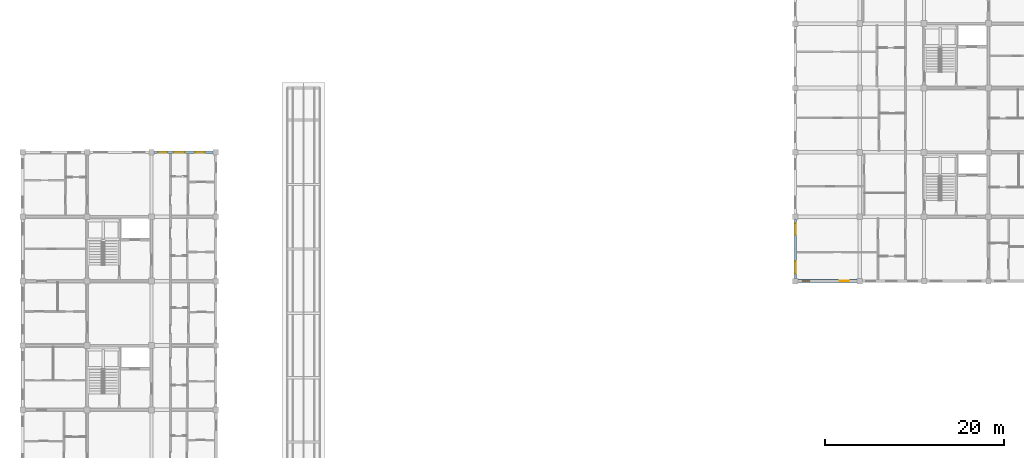
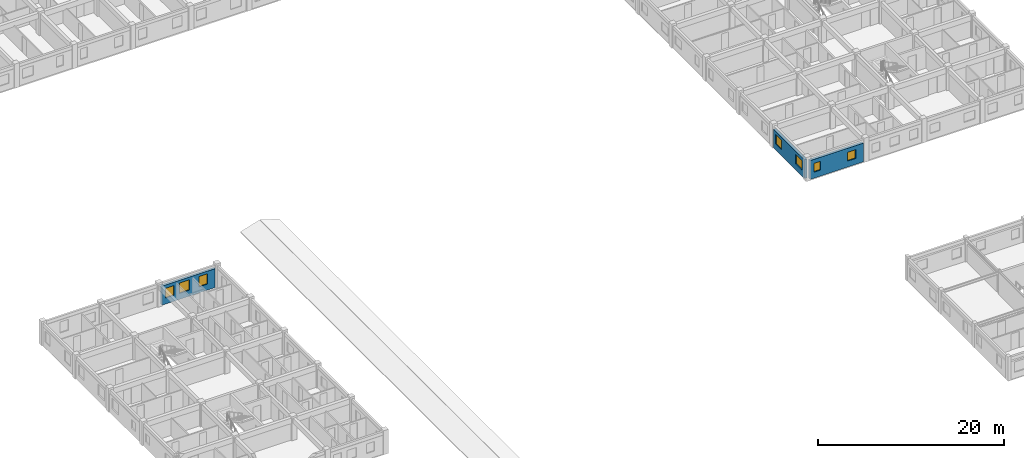
# One storey, part 28 of 50: 7 windows, 3 walls, 7 openings.
"""IFC4 building model written with IfcOpenShell, lengths in metres."""

from ifc_helpers import new_model, si_unit, direction, frame, frame_2d, origin, place, context, subcontext, project, spatial, rectangle, extrude, material, layer, layer_set, type_object, element, fill, save


model = new_model("IFC4")

# Units and contexts
model_context = context("Model", 3, precision=1e-05, world=origin(), true_north=direction((0.0, 1.0)))
body_context = subcontext(model_context, "Body", "Model", "MODEL_VIEW")
ifc_project = project(units=[si_unit("LENGTHUNIT", "METRE"), si_unit("AREAUNIT", "SQUARE_METRE"), si_unit("VOLUMEUNIT", "CUBIC_METRE"), si_unit("PLANEANGLEUNIT", "RADIAN"), si_unit("MASSUNIT", "GRAM", prefix="KILO"), si_unit("THERMODYNAMICTEMPERATUREUNIT", "KELVIN"), si_unit("POWERUNIT", "WATT")], contexts=[model_context])

# Site, building, storey
site_placement = place(None, origin())
site = spatial("IfcSite", under=ifc_project, at=site_placement, CompositionType="ELEMENT")
building_placement = place(site_placement, origin())
building = spatial("IfcBuilding", under=site, at=building_placement, Name="Tavuni Mirador Residences", CompositionType="ELEMENT")
storey_placement = place(building_placement, frame((0.0, 0.0, 4.5)))
storey = spatial("IfcBuildingStorey", under=building, at=storey_placement, Name="L01", CompositionType="ELEMENT", Elevation=4.5)

# Wall, openings, windows
ifc_material_1 = material(Name="Sgraffito lime-rendered precast concrete C40/50", Category="concrete")
ifc_layer_1 = layer(ifc_material_1, 0.2900390625, Name="Sgraffito lime-rendered precast concrete C40/50", Category="concrete")
ifc_layer_set_1 = layer_set([ifc_layer_1], Name="Sgraffito lime-rendered precast concrete C40/50")
wall_type_1 = type_object("IfcWallType", Name="WT-EXT-PC290", PredefinedType="SOLIDWALL", material=ifc_layer_set_1)
wall_1_placement = place(storey_placement, frame((24.89990234375, 100.800048828125, 0.0), z_axis=(0.0, 0.0, 1.0), x_axis=(-1.0, 0.0, 0.0)))
wall_1 = element("IfcWall", 1, at=wall_1_placement, inside=storey, type_object=wall_type_1, Name="EW-BLK-B-L01-N02", PredefinedType="SOLIDWALL", context=body_context, shape_type="SweptSolid", body=[
    extrude(rectangle(XDim=6.599853515625, YDim=0.2900390625, at=frame_2d((3.2998046875, 0.0))), origin(), (0.0, 0.0, 1.0), 2.47998046875),
])
opening_1_placement = place(wall_1_placement, frame((0.949951171875, 0.0, 0.780029296875)))
opening_1 = element("IfcOpeningElement", 2, at=opening_1_placement, cuts=wall_1, Name="Opening WN-19", PredefinedType="OPENING", context=body_context, shape_type="SweptSolid", body=[
    extrude(rectangle(XDim=1.06005859375, YDim=1.360107421875, at=frame_2d((0.530029296875, 0.68017578125))), frame((0.0, 0.155029296875, 0.0), z_axis=(0.0, -1.0, 0.0), x_axis=(1.0, 0.0, 0.0)), (0.0, 0.0, 1.0), 0.31005859375),
])
opening_2_placement = place(wall_1_placement, frame((3.199951171875, 0.0, 0.780029296875)))
opening_2 = element("IfcOpeningElement", 3, at=opening_2_placement, cuts=wall_1, Name="Opening WN-21", PredefinedType="OPENING", context=body_context, shape_type="SweptSolid", body=[
    extrude(rectangle(XDim=1.219970703125, YDim=1.360107421875, at=frame_2d((0.60986328125, 0.68017578125))), frame((0.0, 0.155029296875, 0.0), z_axis=(0.0, -1.0, 0.0), x_axis=(1.0, 0.0, 0.0)), (0.0, 0.0, 1.0), 0.31005859375),
])
opening_3_placement = place(wall_1_placement, frame((5.110107421875, 0.0, 0.780029296875)))
opening_3 = element("IfcOpeningElement", 4, at=opening_3_placement, cuts=wall_1, Name="Opening WN-11", PredefinedType="OPENING", context=body_context, shape_type="SweptSolid", body=[
    extrude(rectangle(XDim=1.0400390625, YDim=1.260009765625, at=frame_2d((0.52001953125, 0.6298828125))), frame((0.0, 0.155029296875, 0.0), z_axis=(0.0, -1.0, 0.0), x_axis=(1.0, 0.0, 0.0)), (0.0, 0.0, 1.0), 0.31005859375),
])
ifc_material_2 = material(Name="Laminated solar-control glass", Category="glass")
window_type_1 = type_object("IfcWindowType", Name="WNT-11", PartitioningType="SINGLE_PANEL", PredefinedType="WINDOW", material=ifc_material_2)
window_1_placement = place(opening_3_placement, origin())
window_1 = element("IfcWindow", 5, at=window_1_placement, inside=storey, type_object=window_type_1, Name="WIN-0589", OverallHeight=1.260009765625, OverallWidth=1.0400390625, PartitioningType="SINGLE_PANEL", PredefinedType="WINDOW", context=body_context, shape_type="SweptSolid", body=[
    extrude(rectangle(XDim=1.0400390625, YDim=1.260009765625, at=frame_2d((0.52001953125, 0.6298828125))), frame((0.0, 0.030029296875, 0.0), z_axis=(0.0, -1.0, 0.0), x_axis=(1.0, 0.0, 0.0)), (0.0, 0.0, 1.0), 0.06005859375),
])
fill(opening_3, window_1)
window_type_2 = type_object("IfcWindowType", Name="WNT-19", PartitioningType="SINGLE_PANEL", PredefinedType="WINDOW", material=ifc_material_2)
window_2_placement = place(opening_1_placement, origin())
window_2 = element("IfcWindow", 6, at=window_2_placement, inside=storey, type_object=window_type_2, Name="WIN-0587", OverallHeight=1.360107421875, OverallWidth=1.06005859375, PartitioningType="SINGLE_PANEL", PredefinedType="WINDOW", context=body_context, shape_type="SweptSolid", body=[
    extrude(rectangle(XDim=1.06005859375, YDim=1.360107421875, at=frame_2d((0.530029296875, 0.68017578125))), frame((0.0, 0.030029296875, 0.0), z_axis=(0.0, -1.0, 0.0), x_axis=(1.0, 0.0, 0.0)), (0.0, 0.0, 1.0), 0.06005859375),
])
fill(opening_1, window_2)
window_type_3 = type_object("IfcWindowType", Name="WNT-21", PartitioningType="SINGLE_PANEL", PredefinedType="WINDOW", material=ifc_material_2)
window_3_placement = place(opening_2_placement, origin())
window_3 = element("IfcWindow", 7, at=window_3_placement, inside=storey, type_object=window_type_3, Name="WIN-0588", OverallHeight=1.360107421875, OverallWidth=1.219970703125, PartitioningType="SINGLE_PANEL", PredefinedType="WINDOW", context=body_context, shape_type="SweptSolid", body=[
    extrude(rectangle(XDim=1.219970703125, YDim=1.360107421875, at=frame_2d((0.60986328125, 0.68017578125))), frame((0.0, 0.030029296875, 0.0), z_axis=(0.0, -1.0, 0.0), x_axis=(1.0, 0.0, 0.0)), (0.0, 0.0, 1.0), 0.06005859375),
])
fill(opening_2, window_3)

ifc_layer_2 = layer(ifc_material_1, 0.31494140625, Name="Sgraffito lime-rendered precast concrete C40/50", Category="concrete")
ifc_layer_set_2 = layer_set([ifc_layer_2], Name="Sgraffito lime-rendered precast concrete C40/50")
wall_type_2 = type_object("IfcWallType", Name="WT-EXT-PC315", PredefinedType="SOLIDWALL", material=ifc_layer_set_2)
wall_2_placement = place(storey_placement, frame((90.300048828125, 86.39990234375, 0.0), z_axis=(0.0, 0.0, 1.0), x_axis=(1.0, 0.0, 0.0)))
wall_2 = element("IfcWall", 8, at=wall_2_placement, inside=storey, type_object=wall_type_2, Name="EW-BLK-D-L01-S00", PredefinedType="SOLIDWALL", context=body_context, shape_type="SweptSolid", body=[
    extrude(rectangle(XDim=6.599853515625, YDim=0.31494140625, at=frame_2d((3.2998046875, 0.0))), origin(), (0.0, 0.0, 1.0), 2.4599609375),
])
opening_4_placement = place(wall_2_placement, frame((0.449951171875, 0.0, 0.780029296875)))
opening_4 = element("IfcOpeningElement", 9, at=opening_4_placement, cuts=wall_2, Name="Opening WN-01", PredefinedType="OPENING", context=body_context, shape_type="SweptSolid", body=[
    extrude(rectangle(XDim=0.85009765625, YDim=1.14990234375, at=frame_2d((0.425048828125, 0.574951171875))), frame((0.0, 0.16748046875, 0.0), z_axis=(0.0, -1.0, 0.0), x_axis=(1.0, 0.0, 0.0)), (0.0, 0.0, 1.0), 0.3349609375),
])
opening_5_placement = place(wall_2_placement, frame((4.64990234375, 0.0, 0.780029296875)))
opening_5 = element("IfcOpeningElement", 10, at=opening_5_placement, cuts=wall_2, Name="Opening WN-03", PredefinedType="OPENING", context=body_context, shape_type="SweptSolid", body=[
    extrude(rectangle(XDim=1.0, YDim=1.14990234375, at=frame_2d((0.5, 0.574951171875))), frame((0.0, 0.16748046875, 0.0), z_axis=(0.0, -1.0, 0.0), x_axis=(1.0, 0.0, 0.0)), (0.0, 0.0, 1.0), 0.3349609375),
])
window_type_4 = type_object("IfcWindowType", Name="WNT-01", PartitioningType="SINGLE_PANEL", PredefinedType="WINDOW", material=ifc_material_2)
window_4_placement = place(opening_4_placement, origin())
window_4 = element("IfcWindow", 11, at=window_4_placement, inside=storey, type_object=window_type_4, Name="WIN-1439", OverallHeight=1.14990234375, OverallWidth=0.85009765625, PartitioningType="SINGLE_PANEL", PredefinedType="WINDOW", context=body_context, shape_type="SweptSolid", body=[
    extrude(rectangle(XDim=0.85009765625, YDim=1.14990234375, at=frame_2d((0.425048828125, 0.574951171875))), frame((0.0, 0.030029296875, 0.0), z_axis=(0.0, -1.0, 0.0), x_axis=(1.0, 0.0, 0.0)), (0.0, 0.0, 1.0), 0.06005859375),
])
fill(opening_4, window_4)
window_type_5 = type_object("IfcWindowType", Name="WNT-03", PartitioningType="SINGLE_PANEL", PredefinedType="WINDOW", material=ifc_material_2)
window_5_placement = place(opening_5_placement, origin())
window_5 = element("IfcWindow", 12, at=window_5_placement, inside=storey, type_object=window_type_5, Name="WIN-1440", OverallHeight=1.14990234375, OverallWidth=1.0, PartitioningType="SINGLE_PANEL", PredefinedType="WINDOW", context=body_context, shape_type="SweptSolid", body=[
    extrude(rectangle(XDim=1.0, YDim=1.14990234375, at=frame_2d((0.5, 0.574951171875))), frame((0.0, 0.030029296875, 0.0), z_axis=(0.0, -1.0, 0.0), x_axis=(1.0, 0.0, 0.0)), (0.0, 0.0, 1.0), 0.06005859375),
])
fill(opening_5, window_5)

wall_3_placement = place(storey_placement, frame((90.0, 93.300048828125, 0.0), z_axis=(0.0, 0.0, 1.0), x_axis=(0.0, -1.0, 0.0)))
wall_3 = element("IfcWall", 13, at=wall_3_placement, inside=storey, type_object=wall_type_2, Name="EW-BLK-D-L01-W00", PredefinedType="SOLIDWALL", context=body_context, shape_type="SweptSolid", body=[
    extrude(rectangle(XDim=6.60009765625, YDim=0.31494140625, at=frame_2d((3.300048828125, 0.0))), origin(), (0.0, 0.0, 1.0), 2.4599609375),
])
opening_6_placement = place(wall_3_placement, frame((0.449951171875, 0.0, 0.780029296875)))
opening_6 = element("IfcOpeningElement", 14, at=opening_6_placement, cuts=wall_3, Name="Opening WN-14", PredefinedType="OPENING", context=body_context, shape_type="SweptSolid", body=[
    extrude(rectangle(XDim=1.280029296875, YDim=1.260009765625, at=frame_2d((0.64013671875, 0.6298828125))), frame((0.0, 0.16748046875, 0.0), z_axis=(0.0, -1.0, 0.0), x_axis=(1.0, 0.0, 0.0)), (0.0, 0.0, 1.0), 0.3349609375),
])
opening_7_placement = place(wall_3_placement, frame((4.64990234375, 0.0, 0.780029296875)))
opening_7 = element("IfcOpeningElement", 15, at=opening_7_placement, cuts=wall_3, Name="Opening WN-16", PredefinedType="OPENING", context=body_context, shape_type="SweptSolid", body=[
    extrude(rectangle(XDim=1.43994140625, YDim=1.260009765625, at=frame_2d((0.719970703125, 0.6298828125))), frame((0.0, 0.16748046875, 0.0), z_axis=(0.0, -1.0, 0.0), x_axis=(1.0, 0.0, 0.0)), (0.0, 0.0, 1.0), 0.3349609375),
])
window_type_6 = type_object("IfcWindowType", Name="WNT-14", PartitioningType="SINGLE_PANEL", PredefinedType="WINDOW", material=ifc_material_2)
window_6_placement = place(opening_6_placement, origin())
window_6 = element("IfcWindow", 16, at=window_6_placement, inside=storey, type_object=window_type_6, Name="WIN-1482", OverallHeight=1.260009765625, OverallWidth=1.280029296875, PartitioningType="SINGLE_PANEL", PredefinedType="WINDOW", context=body_context, shape_type="SweptSolid", body=[
    extrude(rectangle(XDim=1.280029296875, YDim=1.260009765625, at=frame_2d((0.64013671875, 0.6298828125))), frame((0.0, 0.030029296875, 0.0), z_axis=(0.0, -1.0, 0.0), x_axis=(1.0, 0.0, 0.0)), (0.0, 0.0, 1.0), 0.06005859375),
])
fill(opening_6, window_6)
window_type_7 = type_object("IfcWindowType", Name="WNT-16", PartitioningType="SINGLE_PANEL", PredefinedType="WINDOW", material=ifc_material_2)
window_7_placement = place(opening_7_placement, origin())
window_7 = element("IfcWindow", 17, at=window_7_placement, inside=storey, type_object=window_type_7, Name="WIN-1483", OverallHeight=1.260009765625, OverallWidth=1.43994140625, PartitioningType="SINGLE_PANEL", PredefinedType="WINDOW", context=body_context, shape_type="SweptSolid", body=[
    extrude(rectangle(XDim=1.43994140625, YDim=1.260009765625, at=frame_2d((0.719970703125, 0.6298828125))), frame((0.0, 0.030029296875, 0.0), z_axis=(0.0, -1.0, 0.0), x_axis=(1.0, 0.0, 0.0)), (0.0, 0.0, 1.0), 0.06005859375),
])
fill(opening_7, window_7)

save(model, "model.ifc")
